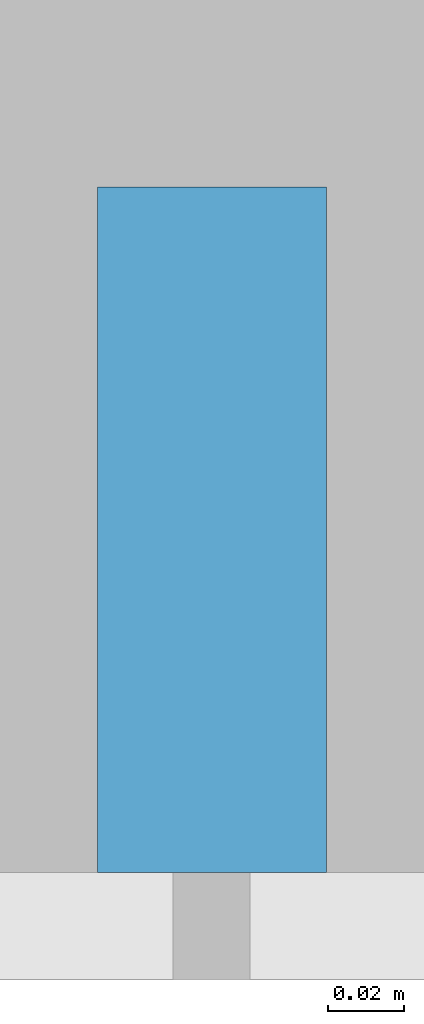
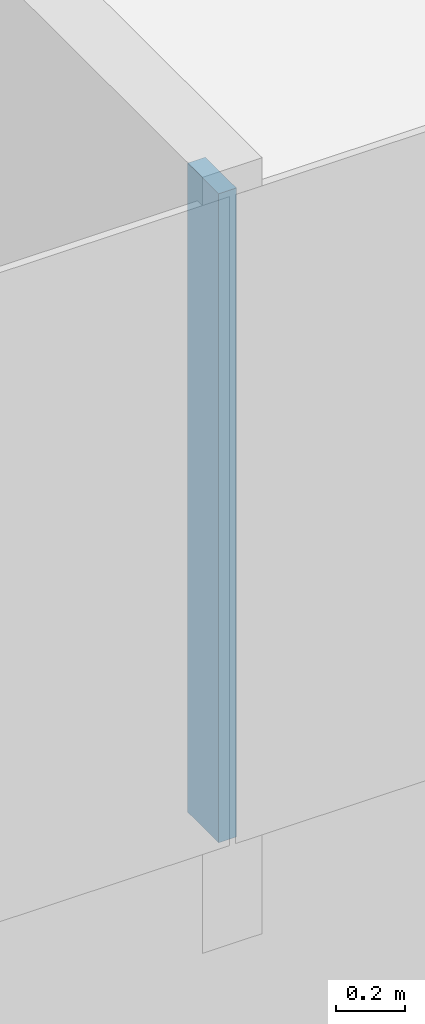
# One storey, part 3 of 26: 1 member, 1 element without a shape of its own.
"""IFC4 building model written with IfcOpenShell, lengths in metres."""

from ifc_helpers import new_model, si_unit, direction, frame, origin, origin_2d, place, context, subcontext, project, spatial, rectangle, extrude, material, layer, layer_set, material_profile, profile_set, type_object, element, aggregate, save


model = new_model("IFC4")

# Units and contexts
model_context = context("Model", 3, precision=1e-05, world=origin(), true_north=direction((0.0, 1.0)))
body_context = subcontext(model_context, "Body", "Model", "MODEL_VIEW")
ifc_project = project(units=[si_unit("LENGTHUNIT", "METRE"), si_unit("AREAUNIT", "SQUARE_METRE"), si_unit("VOLUMEUNIT", "CUBIC_METRE"), si_unit("PLANEANGLEUNIT", "RADIAN"), si_unit("MASSUNIT", "GRAM", prefix="KILO")], contexts=[model_context])

# Site, building, storey
site_placement = place(None, origin())
site = spatial("IfcSite", under=ifc_project, at=site_placement, CompositionType="ELEMENT")
building_placement = place(site_placement, origin())
building = spatial("IfcBuilding", under=site, at=building_placement, Name="Hakoniwa Tower and Hamabe Station Hall", CompositionType="ELEMENT")
storey_placement = place(building_placement, frame((0.0, 0.0, 153.39990234375)))
storey = spatial("IfcBuildingStorey", under=building, at=storey_placement, Name="L43", CompositionType="ELEMENT", Elevation=153.39990234375)

# Curtain wall, member
ifc_material_1 = material(Name="Dark low-e laminated glass", Category="glass")
ifc_layer = layer(ifc_material_1, 0.199951171875)
ifc_layer_set = layer_set([ifc_layer], Name="CW-1 UNITISED GUEST")
curtain_wall_type = type_object("IfcCurtainWallType", Name="CW-1 UNITISED GUEST", PredefinedType="NOTDEFINED", material=ifc_layer_set)
curtain_wall_placement = place(storey_placement, origin())
curtain_wall = element("IfcCurtainWall", 1, at=curtain_wall_placement, inside=storey, type_object=curtain_wall_type, Name="CW-1 curtain wall", PredefinedType="NOTDEFINED")
ifc_material_2 = material(Name="Aluminium 6063-T5 black anodised", Category="aluminium")
ifc_material_profile = material_profile(ifc_material_2, rectangle(XDim=0.06005859375, YDim=0.179931640625, at=origin_2d()), Name="CW-1 MULLION 60X180")
ifc_profile_set = profile_set([ifc_material_profile], Name="Aluminium 6063-T5 black anodised")
member_type = type_object("IfcMemberType", Name="CW-1 MULLION 60X180", PredefinedType="MULLION", material=ifc_profile_set)
member_placement = place(storey_placement, frame((-8.39990234375, -19.181884765625, 0.35009765625), z_axis=(0.0, 0.0, 1.0), x_axis=(1.0, 0.0, 0.0)))
member = element("IfcMember", 2, at=member_placement, type_object=member_type, Name="CW-1 mullion", PredefinedType="MULLION", context=body_context, shape_type="SweptSolid", body=[
    extrude(rectangle(XDim=0.06005859375, YDim=0.179931640625, at=origin_2d()), origin(), (0.0, 0.0, 1.0), 2.300048828125),
])
aggregate(curtain_wall, [member])

save(model, "model.ifc")
